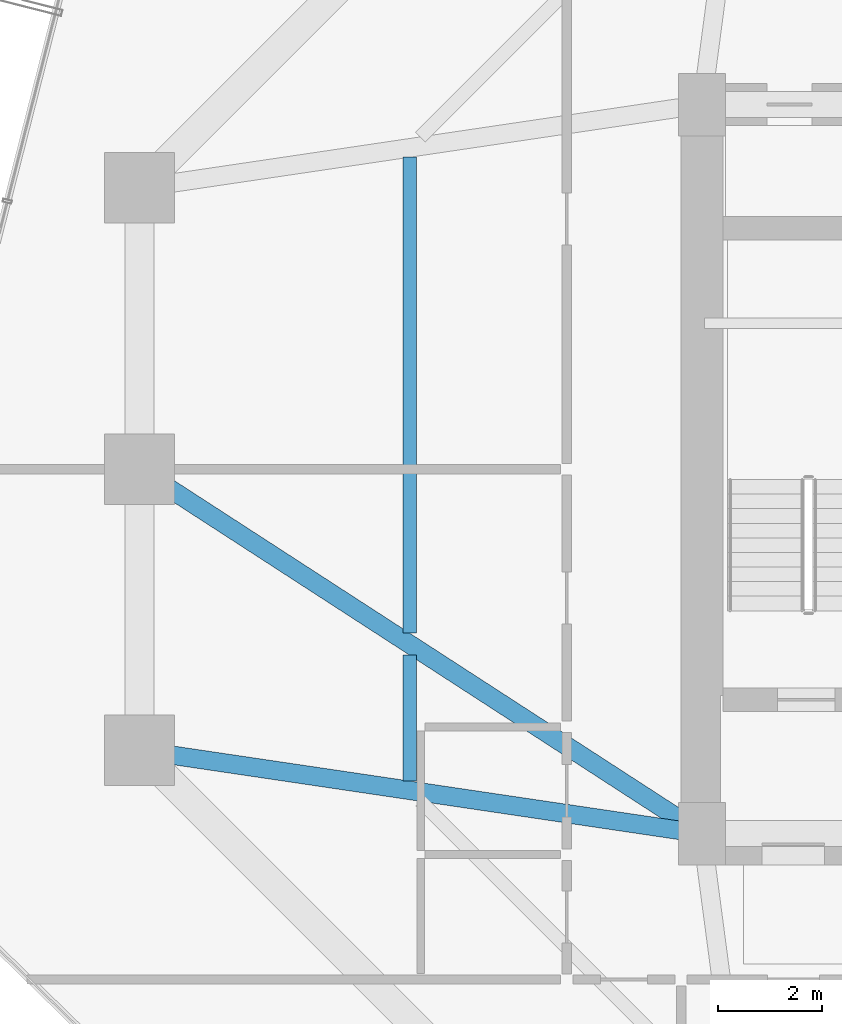
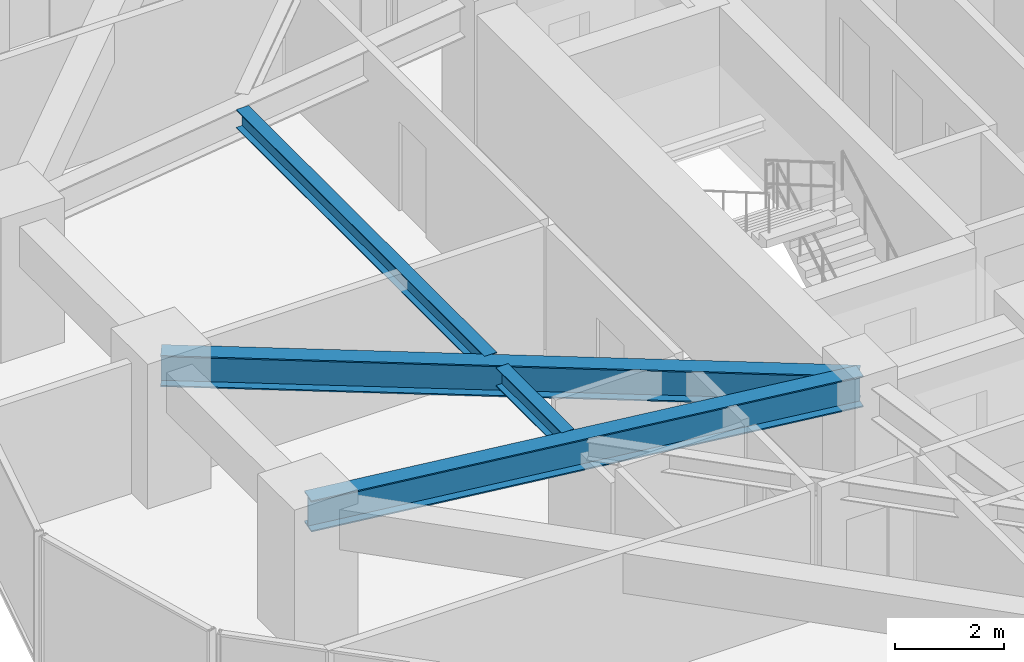
# One storey, part 10 of 39: 4 beams.
"""IFC4 building model written with IfcOpenShell, lengths in metres."""

from ifc_helpers import new_model, si_unit, direction, frame, origin, origin_2d, place, context, subcontext, project, spatial, i_section, extrude, material, material_profile, profile_set, type_object, element, save


model = new_model("IFC4")

# Units and contexts
model_context = context("Model", 3, precision=1e-05, world=origin(), true_north=direction((0.0, 1.0)))
body_context = subcontext(model_context, "Body", "Model", "MODEL_VIEW")
ifc_project = project(units=[si_unit("LENGTHUNIT", "METRE"), si_unit("AREAUNIT", "SQUARE_METRE"), si_unit("VOLUMEUNIT", "CUBIC_METRE"), si_unit("PLANEANGLEUNIT", "RADIAN"), si_unit("MASSUNIT", "GRAM", prefix="KILO")], contexts=[model_context])

# Site, building, storey
site_placement = place(None, origin())
site = spatial("IfcSite", under=ifc_project, at=site_placement, CompositionType="ELEMENT")
building_placement = place(site_placement, origin())
building = spatial("IfcBuilding", under=site, at=building_placement, Name="Veraguas Prism Commons", CompositionType="ELEMENT")
storey_placement = place(building_placement, frame((0.0, 0.0, 77.10009765625)))
storey = spatial("IfcBuildingStorey", under=building, at=storey_placement, Name="L21", CompositionType="ELEMENT", Elevation=77.10009765625)

# Beams
ifc_material = material(Name="Steel ASTM A992 Grade 50", Category="steel")
ifc_material_profile_1 = material_profile(ifc_material, i_section(OverallWidth=0.260986328125, OverallDepth=0.419921875, WebThickness=0.01171875, FlangeThickness=0.019287109375, at=origin_2d()), Name="W410X114")
ifc_profile_set_1 = profile_set([ifc_material_profile_1], Name="Steel ASTM A992 Grade 50")
beam_type_1 = type_object("IfcBeamType", Name="Lower Floor Joist W410x114", PredefinedType="JOIST", material=ifc_profile_set_1)
beam_1_placement = place(storey_placement, frame((11.583984375, 29.989990234375, 2.719970703125), z_axis=(0.0, -1.0, 0.0), x_axis=(1.0, 0.0, 0.0)))
element("IfcBeam", 1, at=beam_1_placement, inside=storey, type_object=beam_type_1, Name="Composite Floor Joist L21-JS07", PredefinedType="JOIST", context=body_context, shape_type="SweptSolid", body=[
    extrude(i_section(OverallWidth=0.260986328125, OverallDepth=0.419921875, WebThickness=0.01171875, FlangeThickness=0.019287109375, at=origin_2d()), origin(), (0.0, 0.0, 1.0), 9.140380859375),
])
beam_2_placement = place(storey_placement, frame((11.583984375, 20.430419921875, 2.719970703125), z_axis=(0.0, -1.0, 0.0), x_axis=(1.0, 0.0, 0.0)))
element("IfcBeam", 2, at=beam_2_placement, inside=storey, type_object=beam_type_1, Name="Composite Floor Joist L21-JS08", PredefinedType="JOIST", context=body_context, shape_type="SweptSolid", body=[
    extrude(i_section(OverallWidth=0.260986328125, OverallDepth=0.419921875, WebThickness=0.01171875, FlangeThickness=0.019287109375, at=origin_2d()), origin(), (0.0, 0.0, 1.0), 2.42041015625),
])
ifc_material_profile_2 = material_profile(ifc_material, i_section(OverallWidth=0.35595703125, OverallDepth=0.700927734375, WebThickness=0.016845703125, FlangeThickness=0.02734375, at=origin_2d()), Name="W690X240")
ifc_profile_set_2 = profile_set([ifc_material_profile_2], Name="Steel ASTM A992 Grade 50")
beam_type_2 = type_object("IfcBeamType", Name="Zone 1 Radial Girder W690x240", PredefinedType="BEAM", material=ifc_profile_set_2)
beam_3_placement = place(storey_placement, frame((6.39990234375, 24.0, 2.579345703125), z_axis=(0.839154108875, -0.543893722668, 0.0), x_axis=(0.543893722668, 0.839154108875, 0.0)))
element("IfcBeam", 3, at=beam_3_placement, inside=storey, type_object=beam_type_2, Name="Radial Floor Girder L21-RD08", PredefinedType="BEAM", context=body_context, shape_type="SweptSolid", body=[
    extrude(i_section(OverallWidth=0.35595703125, OverallDepth=0.700927734375, WebThickness=0.016845703125, FlangeThickness=0.02734375, at=origin_2d()), origin(), (0.0, 0.0, 1.0), 12.8701171875),
])
beam_4_placement = place(storey_placement, frame((6.39990234375, 18.60009765625, 2.579345703125), z_axis=(0.989202261707, -0.146556765224, 0.0), x_axis=(0.146556765224, 0.989202261707, 0.0)))
element("IfcBeam", 4, at=beam_4_placement, inside=storey, type_object=beam_type_2, Name="Radial Floor Girder L21-RD09", PredefinedType="BEAM", context=body_context, shape_type="SweptSolid", body=[
    extrude(i_section(OverallWidth=0.35595703125, OverallDepth=0.700927734375, WebThickness=0.016845703125, FlangeThickness=0.02734375, at=origin_2d()), origin(), (0.0, 0.0, 1.0), 10.91796875),
])

save(model, "model.ifc")
